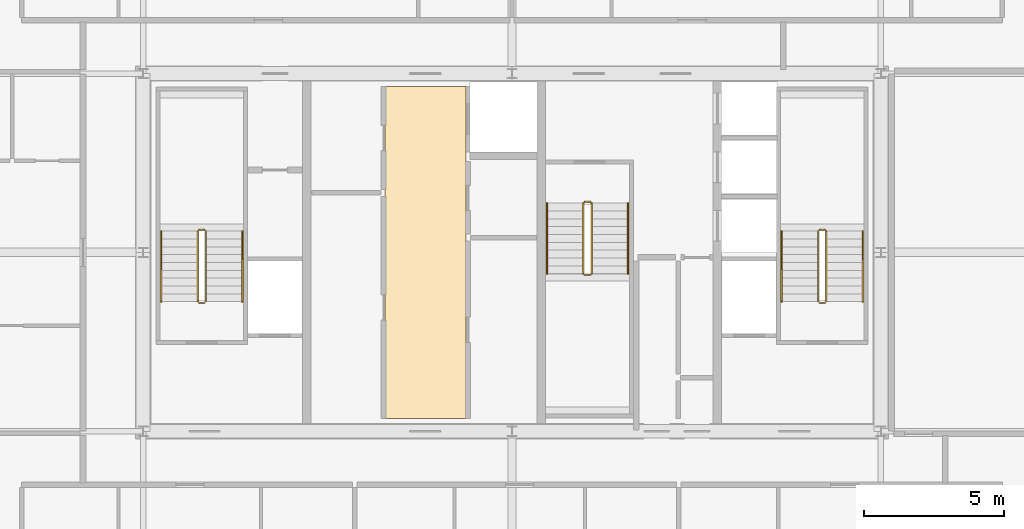
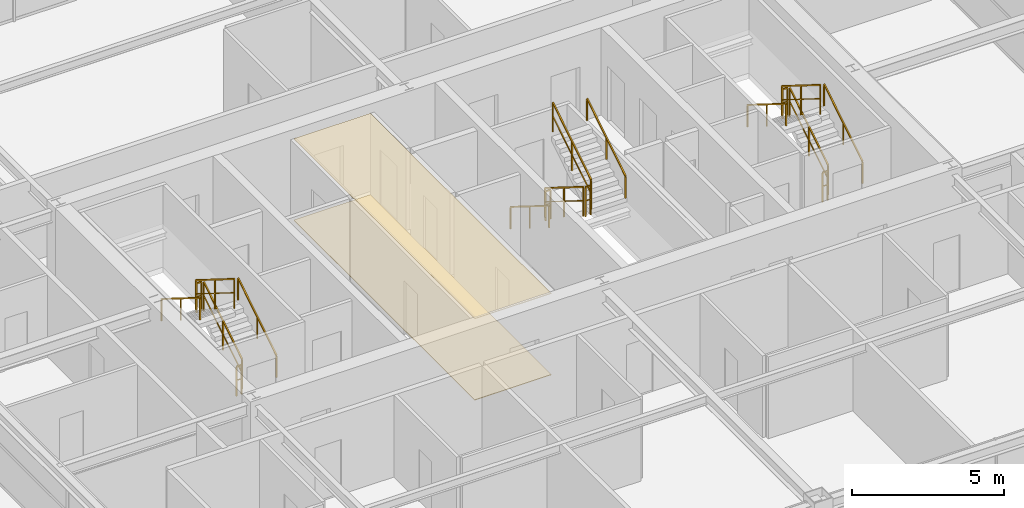
# One storey, part 37 of 37: 18 railings, 2 coverings.
"""IFC4 building model written with IfcOpenShell, lengths in metres."""

from ifc_helpers import new_model, si_unit, direction, frame, origin, origin_2d, place, context, subcontext, project, spatial, polyline, rectangle, outline, extrude, source, transform, mapped, material, layer, layer_set, type_object, element, save


model = new_model("IFC4")

# Units and contexts
model_context = context("Model", 3, precision=1e-05, world=origin(), true_north=direction((0.0, 1.0)))
body_context = subcontext(model_context, "Body", "Model", "MODEL_VIEW")
ifc_project = project(units=[si_unit("LENGTHUNIT", "METRE"), si_unit("AREAUNIT", "SQUARE_METRE"), si_unit("VOLUMEUNIT", "CUBIC_METRE"), si_unit("PLANEANGLEUNIT", "RADIAN"), si_unit("MASSUNIT", "GRAM", prefix="KILO"), si_unit("THERMODYNAMICTEMPERATUREUNIT", "KELVIN"), si_unit("POWERUNIT", "WATT")], contexts=[model_context])

# Site, building, storey
site_placement = place(None, origin())
site = spatial("IfcSite", under=ifc_project, at=site_placement, CompositionType="ELEMENT")
building_placement = place(site_placement, origin())
building = spatial("IfcBuilding", under=site, at=building_placement, Name="Yuzanri Waterfront Tower", CompositionType="ELEMENT")
storey_placement = place(building_placement, frame((0.0, 0.0, 268.10009765625)))
storey = spatial("IfcBuildingStorey", under=building, at=storey_placement, Name="L71", CompositionType="ELEMENT", Elevation=268.10009765625)

# Coverings
ifc_material_1 = material(Name="Engineered Smoked-Oak Timber", Category="wood")
ifc_layer_1 = layer(ifc_material_1, 0.02197265625)
ifc_layer_set_1 = layer_set([ifc_layer_1], Name="Engineered Smoked-Oak Timber")
covering_type_1 = type_object("IfcCoveringType", Name="Engineered Smoked-Oak Residence Flooring 22", PredefinedType="FLOORING", material=ifc_layer_set_1)
covering_1_placement = place(storey_placement, origin())
element("IfcCovering", 1, at=covering_1_placement, inside=storey, type_object=covering_type_1, Name="L71 Smoked-Oak Floor Finish", PredefinedType="FLOORING", context=body_context, shape_type="SweptSolid", body=[
    extrude(outline(polyline([(32.449951171875, 19.860107421875), (35.35009765625, 19.860107421875), (35.35009765625, 31.739990234375), (32.449951171875, 31.739990234375), (32.449951171875, 19.860107421875)])), origin(), (0.0, 0.0, 1.0), 0.02197265625),
])
ifc_material_2 = material(Name="Acoustic Mineral-Fibre Ceiling Board", Category="gypsum")
ifc_layer_2 = layer(ifc_material_2, 0.02490234375)
ifc_layer_set_2 = layer_set([ifc_layer_2], Name="Acoustic Mineral-Fibre Ceiling Board")
covering_type_2 = type_object("IfcCoveringType", Name="Perforated Mineral-Fibre Acoustic Ceiling Tile 25", PredefinedType="CEILING", material=ifc_layer_set_2)
covering_2_placement = place(storey_placement, frame((0.0, 0.0, 3.2548828125)))
element("IfcCovering", 2, at=covering_2_placement, inside=storey, type_object=covering_type_2, Name="L71 Acoustic Mineral-Fibre Ceiling", PredefinedType="CEILING", context=body_context, shape_type="SweptSolid", body=[
    extrude(outline(polyline([(32.449951171875, 19.860107421875), (35.35009765625, 19.860107421875), (35.35009765625, 31.739990234375), (32.449951171875, 31.739990234375), (32.449951171875, 19.860107421875)])), origin(), (0.0, 0.0, 1.0), 0.02490234375),
])

# Railings
ifc_material_3 = material(Name="Painted Galvanized Fire Steel", Category="steel")
ifc_layer_3 = layer(ifc_material_3, 0.06005859375)
ifc_layer_set_3 = layer_set([ifc_layer_3], Name="Painted Galvanized Fire Steel")
railing_type_1 = type_object("IfcRailingType", Name="Painted Steel Stairwell Guardrail 1120", PredefinedType="GUARDRAIL", material=ifc_layer_set_3)
shared_shape_1 = source(origin(), body_context, "Body", "SweptSolid", [
    extrude(rectangle(XDim=0.050048828125, YDim=0.050048828125, at=origin_2d()), frame((0.0, 0.0, 1.1748046875), z_axis=(-1.0, 0.0, 0.0), x_axis=(0.0, -1.0, 0.0)), (0.0, 0.0, 1.0), 0.199951171875),
    extrude(rectangle(XDim=0.035888671875, YDim=0.030029296875, at=origin_2d()), frame((0.0, 0.0, 0.6240234375), z_axis=(-1.0, 0.0, 0.0), x_axis=(0.0, -1.0, 0.0)), (0.0, 0.0, 1.0), 0.199951171875),
    extrude(rectangle(XDim=0.0458984375, YDim=0.0458984375, at=origin_2d()), origin(), (0.0, 0.0, 1.0), 1.14990234375),
    extrude(rectangle(XDim=0.0458984375, YDim=0.0458984375, at=origin_2d()), frame((-0.199951171875, 0.0, 0.0)), (0.0, 0.0, 1.0), 1.14990234375),
])
for number, where, name in (
    (3, (26.0, 26.610107421875, 1.75), "L71 ST-01 stair guard 2"),
    (4, (26.0, 23.989990234375, 0.0), "L71 ST-01 stair guard 4"),
    (5, (48.199951171875, 26.610107421875, 1.75), "L71 ST-02 stair guard 2"),
    (6, (48.199951171875, 23.989990234375, 0.0), "L71 ST-02 stair guard 4"),
):
    element("IfcRailing", number, at=place(storey_placement, frame(where)), inside=storey, type_object=railing_type_1, Name=name, PredefinedType="GUARDRAIL", context=body_context, shape_type="MappedRepresentation", body=[
        mapped(shared_shape_1, transform((0.0, 0.0, 0.0), scale=1.0)),
    ])
shared_shape_2 = source(origin(), body_context, "Body", "SweptSolid", [
    extrude(rectangle(XDim=0.050048828125, YDim=0.050048828125, at=origin_2d()), frame((0.0, 0.0, 1.1748046875), z_axis=(0.0, 0.847970611238, 0.530043245855), x_axis=(-1.0, 0.0, 0.0)), (0.0, 0.0, 1.0), 2.971923828125),
    extrude(rectangle(XDim=0.035888671875, YDim=0.030029296875, at=origin_2d()), frame((0.0, 0.0, 0.6240234375), z_axis=(0.0, 0.847970611238, 0.530043245855), x_axis=(-1.0, 0.0, 0.0)), (0.0, 0.0, 1.0), 2.971923828125),
    extrude(rectangle(XDim=0.0458984375, YDim=0.0458984375, at=origin_2d()), origin(), (0.0, 0.0, 1.0), 1.14990234375),
    extrude(rectangle(XDim=0.0458984375, YDim=0.0458984375, at=origin_2d()), frame((0.0, 1.260009765625, 0.78759765625)), (0.0, 0.0, 1.0), 1.14990234375),
    extrude(rectangle(XDim=0.0458984375, YDim=0.0458984375, at=origin_2d()), frame((0.0, 2.52001953125, 1.5751953125)), (0.0, 0.0, 1.0), 1.14990234375),
])
for number, where, name in (
    (7, (26.050048828125, 24.0400390625, 0.1748046875), "L71 ST-01 stair guard 1"),
    (8, (48.25, 24.0400390625, 0.1748046875), "L71 ST-02 stair guard 1"),
    (9, (39.85009765625, 25.0400390625, 1.9248046875), "L71 ST-03 stair guard 3"),
):
    element("IfcRailing", number, at=place(storey_placement, frame(where)), inside=storey, type_object=railing_type_1, Name=name, PredefinedType="GUARDRAIL", context=body_context, shape_type="MappedRepresentation", body=[
        mapped(shared_shape_2, transform((0.0, 0.0, 0.0), scale=1.0)),
    ])
shared_shape_3 = source(origin(), body_context, "Body", "SweptSolid", [
    extrude(rectangle(XDim=0.050048828125, YDim=0.050048828125, at=origin_2d()), frame((0.0, 0.0, 1.1748046875), z_axis=(0.0, -0.847970611238, 0.530043245855), x_axis=(1.0, 0.0, 0.0)), (0.0, 0.0, 1.0), 2.971923828125),
    extrude(rectangle(XDim=0.035888671875, YDim=0.030029296875, at=origin_2d()), frame((0.0, 0.0, 0.6240234375), z_axis=(0.0, -0.847970611238, 0.530043245855), x_axis=(1.0, 0.0, 0.0)), (0.0, 0.0, 1.0), 2.971923828125),
    extrude(rectangle(XDim=0.0458984375, YDim=0.0458984375, at=origin_2d()), origin(), (0.0, 0.0, 1.0), 1.14990234375),
    extrude(rectangle(XDim=0.0458984375, YDim=0.0458984375, at=origin_2d()), frame((0.0, -1.260009765625, 0.78759765625)), (0.0, 0.0, 1.0), 1.14990234375),
    extrude(rectangle(XDim=0.0458984375, YDim=0.0458984375, at=origin_2d()), frame((0.0, -2.52001953125, 1.5751953125)), (0.0, 0.0, 1.0), 1.14990234375),
])
for number, where, name in (
    (10, (25.75, 26.56005859375, 1.9248046875), "L71 ST-01 stair guard 3"),
    (11, (47.949951171875, 26.56005859375, 1.9248046875), "L71 ST-02 stair guard 3"),
    (12, (39.550048828125, 27.56005859375, 0.1748046875), "L71 ST-03 stair guard 1"),
):
    element("IfcRailing", number, at=place(storey_placement, frame(where)), inside=storey, type_object=railing_type_1, Name=name, PredefinedType="GUARDRAIL", context=body_context, shape_type="MappedRepresentation", body=[
        mapped(shared_shape_3, transform((0.0, 0.0, 0.0), scale=1.0)),
    ])
ifc_material_4 = material(Name="Anodized Architectural Bronze", Category="metal")
ifc_layer_4 = layer(ifc_material_4, 0.050048828125)
ifc_layer_set_4 = layer_set([ifc_layer_4], Name="Anodized Architectural Bronze")
railing_type_2 = type_object("IfcRailingType", Name="Brushed Bronze Stair Pitch Handrail 920", PredefinedType="HANDRAIL", material=ifc_layer_set_4)
shared_shape_4 = source(origin(), body_context, "Body", "SweptSolid", [
    extrude(rectangle(XDim=0.050048828125, YDim=0.050048828125, at=origin_2d()), frame((0.0, 0.0, 0.875), z_axis=(0.0, 0.847970611238, 0.530043245855), x_axis=(-1.0, 0.0, 0.0)), (0.0, 0.0, 1.0), 2.971923828125),
    extrude(rectangle(XDim=0.0458984375, YDim=0.0458984375, at=origin_2d()), origin(), (0.0, 0.0, 1.0), 0.849853515625),
    extrude(rectangle(XDim=0.0458984375, YDim=0.0458984375, at=origin_2d()), frame((0.0, 1.260009765625, 0.78759765625)), (0.0, 0.0, 1.0), 0.849853515625),
    extrude(rectangle(XDim=0.0458984375, YDim=0.0458984375, at=origin_2d()), frame((0.0, 2.52001953125, 1.5751953125)), (0.0, 0.0, 1.0), 0.849853515625),
])
for number, where, name in (
    (13, (27.35009765625, 24.0400390625, 0.1748046875), "L71 ST-01 stair handrail 1"),
    (14, (49.550048828125, 24.0400390625, 0.1748046875), "L71 ST-02 stair handrail 1"),
    (15, (41.14990234375, 25.0400390625, 1.9248046875), "L71 ST-03 stair handrail 2"),
):
    element("IfcRailing", number, at=place(storey_placement, frame(where)), inside=storey, type_object=railing_type_2, Name=name, PredefinedType="HANDRAIL", context=body_context, shape_type="MappedRepresentation", body=[
        mapped(shared_shape_4, transform((0.0, 0.0, 0.0), scale=1.0)),
    ])
shared_shape_5 = source(origin(), body_context, "Body", "SweptSolid", [
    extrude(rectangle(XDim=0.050048828125, YDim=0.050048828125, at=origin_2d()), frame((0.0, 0.0, 0.875), z_axis=(0.0, -0.847970611238, 0.530043245855), x_axis=(1.0, 0.0, 0.0)), (0.0, 0.0, 1.0), 2.971923828125),
    extrude(rectangle(XDim=0.0458984375, YDim=0.0458984375, at=origin_2d()), origin(), (0.0, 0.0, 1.0), 0.849853515625),
    extrude(rectangle(XDim=0.0458984375, YDim=0.0458984375, at=origin_2d()), frame((0.0, -1.260009765625, 0.78759765625)), (0.0, 0.0, 1.0), 0.849853515625),
    extrude(rectangle(XDim=0.0458984375, YDim=0.0458984375, at=origin_2d()), frame((0.0, -2.52001953125, 1.5751953125)), (0.0, 0.0, 1.0), 0.849853515625),
])
for number, where, name in (
    (16, (24.449951171875, 26.56005859375, 1.9248046875), "L71 ST-01 stair handrail 2"),
    (17, (46.64990234375, 26.56005859375, 1.9248046875), "L71 ST-02 stair handrail 2"),
    (18, (38.25, 27.56005859375, 0.1748046875), "L71 ST-03 stair handrail 1"),
):
    element("IfcRailing", number, at=place(storey_placement, frame(where)), inside=storey, type_object=railing_type_2, Name=name, PredefinedType="HANDRAIL", context=body_context, shape_type="MappedRepresentation", body=[
        mapped(shared_shape_5, transform((0.0, 0.0, 0.0), scale=1.0)),
    ])
shared_shape_6 = source(origin(), body_context, "Body", "SweptSolid", [
    extrude(rectangle(XDim=0.050048828125, YDim=0.050048828125, at=origin_2d()), frame((0.0, 0.0, 1.1748046875), z_axis=(1.0, 0.0, 0.0), x_axis=(0.0, 1.0, 0.0)), (0.0, 0.0, 1.0), 0.199951171875),
    extrude(rectangle(XDim=0.035888671875, YDim=0.030029296875, at=origin_2d()), frame((0.0, 0.0, 0.6240234375), z_axis=(1.0, 0.0, 0.0), x_axis=(0.0, 1.0, 0.0)), (0.0, 0.0, 1.0), 0.199951171875),
    extrude(rectangle(XDim=0.0458984375, YDim=0.0458984375, at=origin_2d()), origin(), (0.0, 0.0, 1.0), 1.14990234375),
    extrude(rectangle(XDim=0.0458984375, YDim=0.0458984375, at=origin_2d()), frame((0.199951171875, 0.0, 0.0)), (0.0, 0.0, 1.0), 1.14990234375),
])
for number, where, name in (
    (19, (39.60009765625, 24.989990234375, 1.75), "L71 ST-03 stair guard 2"),
    (20, (39.60009765625, 27.610107421875, 0.0), "L71 ST-03 stair guard 4"),
):
    element("IfcRailing", number, at=place(storey_placement, frame(where)), inside=storey, type_object=railing_type_1, Name=name, PredefinedType="GUARDRAIL", context=body_context, shape_type="MappedRepresentation", body=[
        mapped(shared_shape_6, transform((0.0, 0.0, 0.0), scale=1.0)),
    ])

save(model, "model.ifc")
